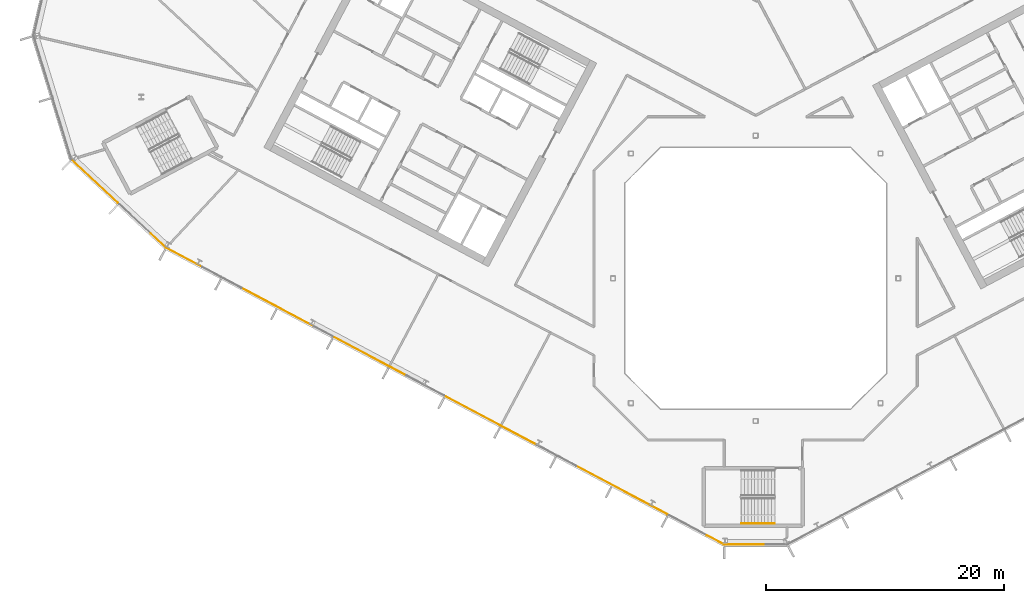
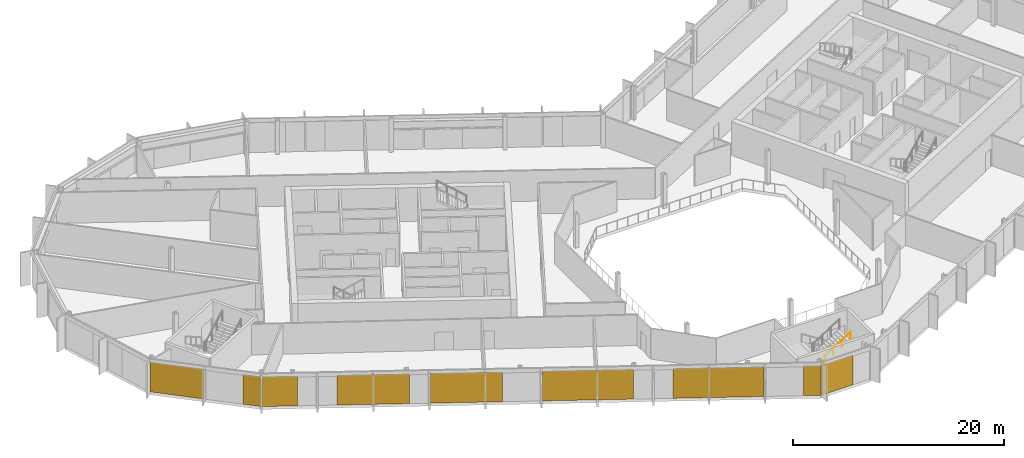
# One storey, part 19 of 27: 9 coverings, 1 railing, 3 elements without a shape of their own.
"""IFC4 building model written with IfcOpenShell, lengths in metres."""

from ifc_helpers import new_model, si_unit, direction, frame, origin, origin_2d, place, context, subcontext, project, spatial, polyline, rectangle, outline, extrude, material, layer, layer_set, type_object, element, aggregate, save


model = new_model("IFC4")

# Units and contexts
model_context = context("Model", 3, precision=1e-05, world=origin(), true_north=direction((0.0, 1.0)))
body_context = subcontext(model_context, "Body", "Model", "MODEL_VIEW")
ifc_project = project(units=[si_unit("LENGTHUNIT", "METRE"), si_unit("AREAUNIT", "SQUARE_METRE"), si_unit("VOLUMEUNIT", "CUBIC_METRE"), si_unit("PLANEANGLEUNIT", "RADIAN"), si_unit("MASSUNIT", "GRAM", prefix="KILO")], contexts=[model_context])

# Site, building, storey
site_placement = place(None, origin())
site = spatial("IfcSite", under=ifc_project, at=site_placement, CompositionType="ELEMENT")
building_placement = place(site_placement, origin())
building = spatial("IfcBuilding", under=site, at=building_placement, Name="Cormorant Relay Tower", CompositionType="ELEMENT")
storey_placement = place(building_placement, frame((0.0, 0.0, 216.89990234375)))
storey = spatial("IfcBuildingStorey", under=building, at=storey_placement, Name="L47", CompositionType="ELEMENT", Elevation=216.89990234375)

# Curtain wall, covering
ifc_material_1 = material(Name="Aluminium 6063-T6 anodised bronze", Category="aluminium")
ifc_layer_1 = layer(ifc_material_1, 0.199951171875)
ifc_layer_set_1 = layer_set([ifc_layer_1], Name="CW1 unitised bronze curtain wall with vertical fins")
curtain_wall_type = type_object("IfcCurtainWallType", Name="CW1 unitised bronze curtain wall with vertical fins", PredefinedType="NOTDEFINED", material=ifc_layer_set_1)
curtain_wall_1_placement = place(storey_placement, origin())
curtain_wall_1 = element("IfcCurtainWall", 1, at=curtain_wall_1_placement, inside=storey, type_object=curtain_wall_type, Name="CW1 curtain wall 1", PredefinedType="NOTDEFINED")
ifc_material_2 = material(Name="Pale bronze anodised aluminium insulated panel", Category="aluminium")
ifc_layer_2 = layer(ifc_material_2, 0.0400390625)
ifc_layer_set_2 = layer_set([ifc_layer_2], Name="CW1 pale bronze insulated panel 40")
covering_type = type_object("IfcCoveringType", Name="CW1 pale bronze insulated panel 40", PredefinedType="CLADDING", material=ifc_layer_set_2)
covering_1_placement = place(storey_placement, frame((-0.862548828125, -22.3955078125, 0.0), z_axis=(0.0, 0.0, 1.0), x_axis=(1.0, 0.0, 0.0)))
covering_1 = element("IfcCovering", 2, at=covering_1_placement, type_object=covering_type, Name="CW1 panel S00", PredefinedType="CLADDING", context=body_context, shape_type="SweptSolid", body=[
    extrude(rectangle(XDim=3.422607421875, YDim=0.0400390625, at=origin_2d()), origin(), (0.0, 0.0, 1.0), 3.449951171875),
])
aggregate(curtain_wall_1, [covering_1])

# Curtain wall, coverings
curtain_wall_2_placement = place(storey_placement, origin())
curtain_wall_2 = element("IfcCurtainWall", 3, at=curtain_wall_2_placement, inside=storey, type_object=curtain_wall_type, Name="CW1 curtain wall 15", PredefinedType="NOTDEFINED")
covering_2_placement = place(storey_placement, frame((-55.56787109375, 8.1298828125, 0.0), z_axis=(0.0, 0.0, 1.0), x_axis=(0.731353701619, -0.681998360062, 0.0)))
covering_2 = element("IfcCovering", 4, at=covering_2_placement, type_object=covering_type, Name="CW1 panel S00", PredefinedType="CLADDING", context=body_context, shape_type="SweptSolid", body=[
    extrude(rectangle(XDim=5.28515625, YDim=0.0400390625, at=origin_2d()), origin(), (0.0, 0.0, 1.0), 3.449951171875),
])
covering_3_placement = place(storey_placement, frame((-50.248779296875, 3.169921875, 0.0), z_axis=(0.0, 0.0, 1.0), x_axis=(0.731353701619, -0.681998360062, 0.0)))
covering_3 = element("IfcCovering", 5, at=covering_3_placement, type_object=covering_type, Name="CW1 panel S02", PredefinedType="CLADDING", context=body_context, shape_type="SweptSolid", body=[
    extrude(rectangle(XDim=1.76025390625, YDim=0.0400390625, at=origin_2d()), origin(), (0.0, 0.0, 1.0), 3.449951171875),
])
aggregate(curtain_wall_2, [covering_2, covering_3])

curtain_wall_3_placement = place(storey_placement, origin())
curtain_wall_3 = element("IfcCurtainWall", 6, at=curtain_wall_3_placement, inside=storey, type_object=curtain_wall_type, Name="CW1 curtain wall 16", PredefinedType="NOTDEFINED")
covering_4_placement = place(storey_placement, frame((-48.048583984375, 1.7412109375, 0.0), z_axis=(0.0, 0.0, 1.0), x_axis=(0.882947592859, -0.469471562786, 0.0)))
covering_4 = element("IfcCovering", 7, at=covering_4_placement, type_object=covering_type, Name="CW1 panel S00", PredefinedType="CLADDING", context=body_context, shape_type="SweptSolid", body=[
    extrude(rectangle(XDim=3.36669921875, YDim=0.0400390625, at=origin_2d()), origin(), (0.0, 0.0, 1.0), 3.449951171875),
])
covering_5_placement = place(storey_placement, frame((-40.21240234375, -2.42529296875, 0.0), z_axis=(0.0, 0.0, 1.0), x_axis=(0.882947592859, -0.469471562786, 0.0)))
covering_5 = element("IfcCovering", 8, at=covering_5_placement, type_object=covering_type, Name="CW1 panel S03", PredefinedType="CLADDING", context=body_context, shape_type="SweptSolid", body=[
    extrude(rectangle(XDim=6.88330078125, YDim=0.0400390625, at=origin_2d()), origin(), (0.0, 0.0, 1.0), 3.449951171875),
])
covering_6_placement = place(storey_placement, frame((-32.4130859375, -6.572265625, 0.0), z_axis=(0.0, 0.0, 1.0), x_axis=(0.882947592859, -0.469471562786, 0.0)))
covering_6 = element("IfcCovering", 9, at=covering_6_placement, type_object=covering_type, Name="CW1 panel S05", PredefinedType="CLADDING", context=body_context, shape_type="SweptSolid", body=[
    extrude(rectangle(XDim=6.88330078125, YDim=0.0400390625, at=origin_2d()), origin(), (0.0, 0.0, 1.0), 3.449951171875),
])
covering_7_placement = place(storey_placement, frame((-22.22998046875, -11.98681640625, 0.0), z_axis=(0.0, 0.0, 1.0), x_axis=(0.882947592859, -0.469471562786, 0.0)))
covering_7 = element("IfcCovering", 10, at=covering_7_placement, type_object=covering_type, Name="CW1 panel S07", PredefinedType="CLADDING", context=body_context, shape_type="SweptSolid", body=[
    extrude(rectangle(XDim=8.68310546875, YDim=0.0400390625, at=origin_2d()), origin(), (0.0, 0.0, 1.0), 3.449951171875),
])
covering_8_placement = place(storey_placement, frame((-11.252197265625, -17.82373046875, 0.0), z_axis=(0.0, 0.0, 1.0), x_axis=(0.882947592859, -0.469471562786, 0.0)))
covering_8 = element("IfcCovering", 11, at=covering_8_placement, type_object=covering_type, Name="CW1 panel S10", PredefinedType="CLADDING", context=body_context, shape_type="SweptSolid", body=[
    extrude(rectangle(XDim=8.68310546875, YDim=0.0400390625, at=origin_2d()), origin(), (0.0, 0.0, 1.0), 3.449951171875),
])
covering_9_placement = place(storey_placement, frame((-3.383056640625, -22.0078125, 0.0), z_axis=(0.0, 0.0, 1.0), x_axis=(0.882947592859, -0.469471562786, 0.0)))
covering_9 = element("IfcCovering", 12, at=covering_9_placement, type_object=covering_type, Name="CW1 panel S12", PredefinedType="CLADDING", context=body_context, shape_type="SweptSolid", body=[
    extrude(rectangle(XDim=1.6416015625, YDim=0.0400390625, at=origin_2d()), origin(), (0.0, 0.0, 1.0), 3.449951171875),
])
aggregate(curtain_wall_3, [covering_4, covering_5, covering_6, covering_7, covering_8, covering_9])

# Railing
ifc_material_3 = material(Name="Steel ASTM A572 Grade 50 (Fy 345 MPa)", Category="steel")
railing_type = type_object("IfcRailingType", Name="Stair handrail 900", PredefinedType="HANDRAIL", material=ifc_material_3)
railing_placement = place(storey_placement, frame((-1.199951171875, -20.625, 2.12744140625)))
element("IfcRailing", 13, at=railing_placement, inside=storey, type_object=railing_type, Name="L47 RK1 stair handrail 2", PredefinedType="HANDRAIL", context=body_context, shape_type="SweptSolid", body=[
    extrude(outline(polyline([(0.022216796875, 0.00927734375), (0.00927734375, 0.022216796875), (-0.00927734375, 0.022216796875), (-0.022216796875, 0.00927734375), (-0.022216796875, -0.00927734375), (-0.00927734375, -0.022216796875), (0.00927734375, -0.022216796875), (0.022216796875, -0.00927734375), (0.022216796875, 0.00927734375)])), frame((0.0, 0.0, 0.8759765625), z_axis=(0.844908973607, 0.0, 0.534910110503), x_axis=(0.0, 1.0, 0.0)), (0.0, 0.0, 1.0), 3.31396484375),
    extrude(outline(polyline([(0.019287109375, 0.008056640625), (0.008056640625, 0.019287109375), (-0.008056640625, 0.019287109375), (-0.019287109375, 0.008056640625), (-0.019287109375, -0.008056640625), (-0.008056640625, -0.019287109375), (0.008056640625, -0.019287109375), (0.019287109375, -0.008056640625), (0.019287109375, 0.008056640625)])), origin(), (0.0, 0.0, 1.0), 0.851806640625),
    extrude(outline(polyline([(0.019287109375, 0.008056640625), (0.008056640625, 0.019287109375), (-0.008056640625, 0.019287109375), (-0.019287109375, 0.008056640625), (-0.019287109375, -0.008056640625), (-0.008056640625, -0.019287109375), (0.008056640625, -0.019287109375), (0.019287109375, -0.008056640625), (0.019287109375, 0.008056640625)])), frame((0.933349609375, 0.0, 0.5908203125)), (0.0, 0.0, 1.0), 0.851806640625),
    extrude(outline(polyline([(0.019287109375, 0.008056640625), (0.008056640625, 0.019287109375), (-0.008056640625, 0.019287109375), (-0.019287109375, 0.008056640625), (-0.019287109375, -0.008056640625), (-0.008056640625, -0.019287109375), (0.008056640625, -0.019287109375), (0.019287109375, -0.008056640625), (0.019287109375, 0.008056640625)])), frame((1.86669921875, 0.0, 1.181884765625)), (0.0, 0.0, 1.0), 0.851806640625),
    extrude(outline(polyline([(0.019287109375, 0.008056640625), (0.008056640625, 0.019287109375), (-0.008056640625, 0.019287109375), (-0.019287109375, 0.008056640625), (-0.019287109375, -0.008056640625), (-0.008056640625, -0.019287109375), (0.008056640625, -0.019287109375), (0.019287109375, -0.008056640625), (0.019287109375, 0.008056640625)])), frame((2.800048828125, 0.0, 1.772705078125)), (0.0, 0.0, 1.0), 0.851806640625),
])

save(model, "model.ifc")
